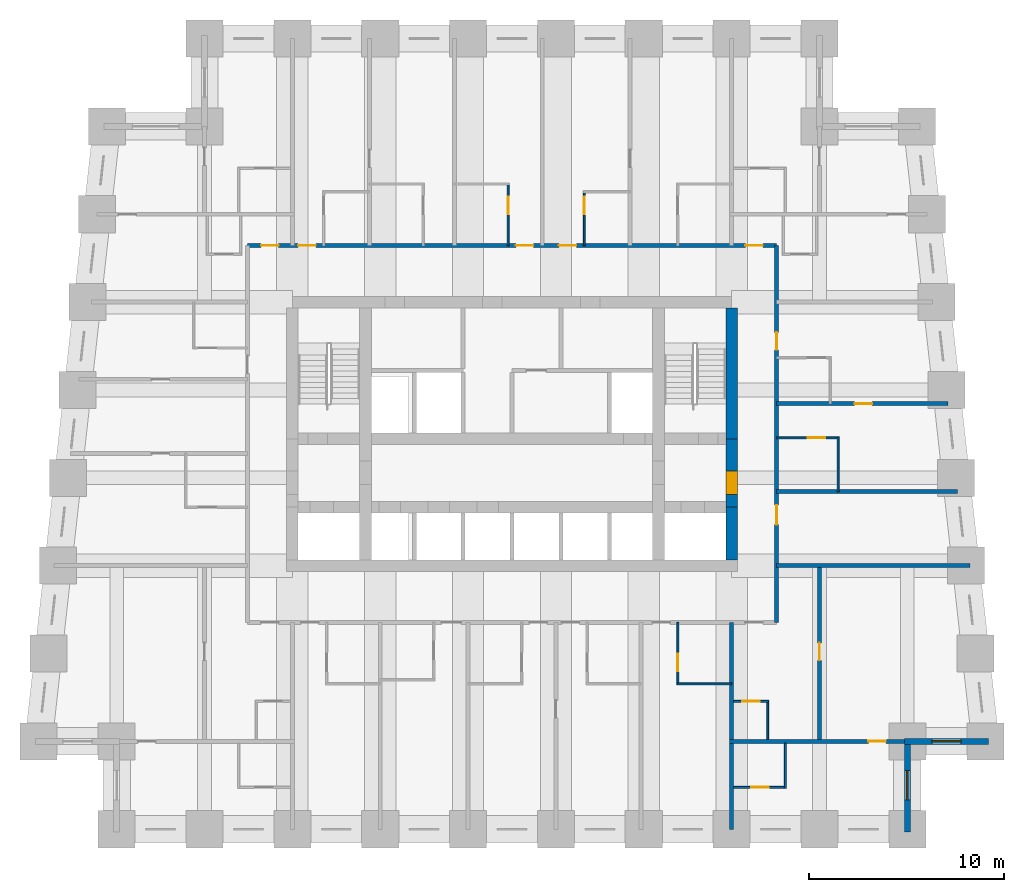
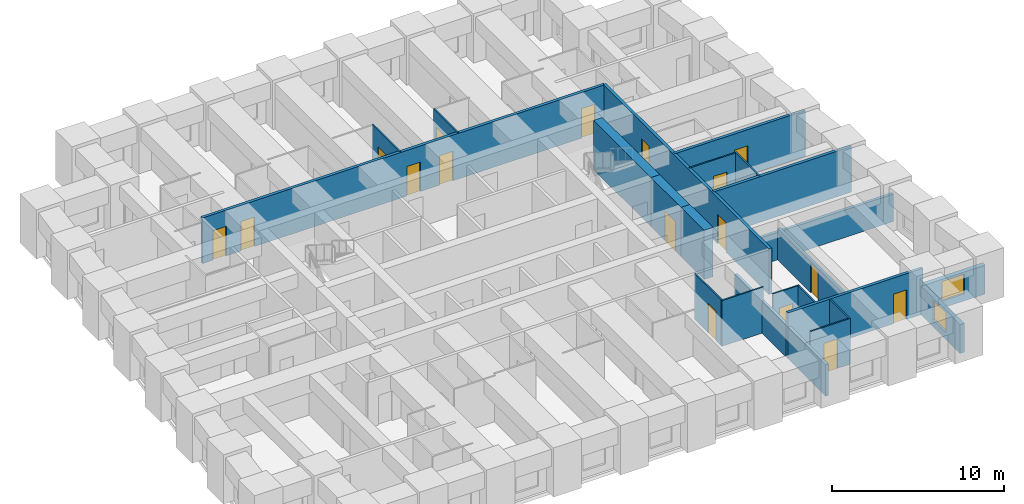
# One storey, part 5 of 8: 23 walls, 17 doors, 2 windows, 19 openings.
"""IFC4 building model written with IfcOpenShell, lengths in metres."""

from ifc_helpers import new_model, si_unit, direction, frame, frame_2d, origin, place, context, subcontext, project, spatial, rectangle, extrude, material, layer, layer_set, type_object, element, fill, save


model = new_model("IFC4")

# Units and contexts
model_context = context("Model", 3, precision=1e-05, world=origin(), true_north=direction((0.0, 1.0)))
body_context = subcontext(model_context, "Body", "Model", "MODEL_VIEW")
ifc_project = project(units=[si_unit("LENGTHUNIT", "METRE"), si_unit("AREAUNIT", "SQUARE_METRE"), si_unit("VOLUMEUNIT", "CUBIC_METRE"), si_unit("PLANEANGLEUNIT", "RADIAN"), si_unit("MASSUNIT", "GRAM", prefix="KILO")], contexts=[model_context])

# Site, building, storey
site_placement = place(None, origin())
site = spatial("IfcSite", under=ifc_project, at=site_placement, CompositionType="ELEMENT")
building_placement = place(site_placement, origin())
building = spatial("IfcBuilding", under=site, at=building_placement, Name="Kilele Tower Hotel", CompositionType="ELEMENT")
storey_placement = place(building_placement, frame((0.0, 0.0, 68.199951171875)))
storey = spatial("IfcBuildingStorey", under=building, at=storey_placement, Name="L16", CompositionType="ELEMENT", Elevation=68.199951171875)

# Wall
ifc_material_1 = material(Name="Moisture-resistant board")
ifc_layer_1 = layer(ifc_material_1, 0.10009765625)
ifc_layer_set_1 = layer_set([ifc_layer_1], Name="Moisture-resistant board")
wall_type_1 = type_object("IfcWallType", Name="Bathroom partition 100", PredefinedType="PLUMBINGWALL", material=ifc_layer_set_1)
wall_1_placement = place(storey_placement, frame((33.199951171875, 7.449951171875, 0.0), z_axis=(0.0, 0.0, 1.0), x_axis=(1.0, 0.0, 0.0)))
element("IfcWall", 1, at=wall_1_placement, inside=storey, type_object=wall_type_1, Name="Bathroom partition 100 L16", PredefinedType="PLUMBINGWALL", context=body_context, shape_type="SweptSolid", body=[
    extrude(rectangle(XDim=2.800048828125, YDim=0.10009765625, at=frame_2d((1.39990234375, 0.0))), origin(), (0.0, 0.0, 1.0), 3.25),
])

# Wall, opening, door
wall_2_placement = place(storey_placement, frame((33.25, 10.60009765625, 0.0), z_axis=(0.0, 0.0, 1.0), x_axis=(0.0, -1.0, 0.0)))
wall_2 = element("IfcWall", 2, at=wall_2_placement, inside=storey, type_object=wall_type_1, Name="Bathroom partition 100 L16", PredefinedType="PLUMBINGWALL", context=body_context, shape_type="SweptSolid", body=[
    extrude(rectangle(XDim=3.2001953125, YDim=0.10009765625, at=frame_2d((1.60009765625, 0.0))), origin(), (0.0, 0.0, 1.0), 3.25),
])
opening_1_placement = place(wall_2_placement, frame((2.5, 0.0, 0.0), z_axis=(0.0, 0.0, 1.0), x_axis=(-1.0, 0.0, 0.0)))
opening_1 = element("IfcOpeningElement", 3, at=opening_1_placement, cuts=wall_2, Name="Opening D2A", PredefinedType="OPENING", context=body_context, shape_type="SweptSolid", body=[
    extrude(rectangle(XDim=0.89990234375, YDim=2.10009765625, at=frame_2d((0.449951171875, 1.050048828125))), frame((0.0, 0.06005859375, 0.0), z_axis=(0.0, -1.0, 0.0), x_axis=(1.0, 0.0, 0.0)), (0.0, 0.0, 1.0), 0.1201171875),
])
ifc_material_2 = material(Name="Timber door leaf in hardwood frame", Category="wood")
door_type_1 = type_object("IfcDoorType", Name="Bathroom door 900", OperationType="SINGLE_SWING_LEFT", PredefinedType="DOOR", material=ifc_material_2)
door_1_placement = place(opening_1_placement, origin())
door_1 = element("IfcDoor", 4, at=door_1_placement, inside=storey, type_object=door_type_1, Name="Bathroom door 1605B", OperationType="SINGLE_SWING_LEFT", OverallHeight=2.10009765625, OverallWidth=0.89990234375, PredefinedType="DOOR", context=body_context, shape_type="SweptSolid", body=[
    extrude(rectangle(XDim=0.89990234375, YDim=2.10009765625, at=frame_2d((0.449951171875, 1.050048828125))), frame((0.0, 0.02490234375, 0.0), z_axis=(0.0, -1.0, 0.0), x_axis=(1.0, 0.0, 0.0)), (0.0, 0.0, 1.0), 0.050048828125),
])
fill(opening_1, door_1)

# Wall
wall_3_placement = place(storey_placement, frame((41.449951171875, 17.300048828125, 0.0), z_axis=(0.0, 0.0, 1.0), x_axis=(0.0, 1.0, 0.0)))
element("IfcWall", 5, at=wall_3_placement, inside=storey, type_object=wall_type_1, Name="Bathroom partition 100 L16", PredefinedType="PLUMBINGWALL", context=body_context, shape_type="SweptSolid", body=[
    extrude(rectangle(XDim=2.800048828125, YDim=0.10009765625, at=frame_2d((1.39990234375, 0.0))), origin(), (0.0, 0.0, 1.0), 3.25),
])

# Wall, opening, door
wall_4_placement = place(storey_placement, frame((38.300048828125, 20.050048828125, 0.0), z_axis=(0.0, 0.0, 1.0), x_axis=(1.0, 0.0, 0.0)))
wall_4 = element("IfcWall", 6, at=wall_4_placement, inside=storey, type_object=wall_type_1, Name="Bathroom partition 100 L16", PredefinedType="PLUMBINGWALL", context=body_context, shape_type="SweptSolid", body=[
    extrude(rectangle(XDim=3.199951171875, YDim=0.10009765625, at=frame_2d((1.60009765625, 0.0))), origin(), (0.0, 0.0, 1.0), 3.25),
])
opening_2_placement = place(wall_4_placement, frame((1.60009765625, 0.0, 0.0)))
opening_2 = element("IfcOpeningElement", 7, at=opening_2_placement, cuts=wall_4, Name="Opening D2A", PredefinedType="OPENING", context=body_context, shape_type="SweptSolid", body=[
    extrude(rectangle(XDim=0.89990234375, YDim=2.10009765625, at=frame_2d((0.449951171875, 1.050048828125))), frame((0.0, 0.06005859375, 0.0), z_axis=(0.0, -1.0, 0.0), x_axis=(1.0, 0.0, 0.0)), (0.0, 0.0, 1.0), 0.1201171875),
])
door_2_placement = place(opening_2_placement, origin())
door_2 = element("IfcDoor", 8, at=door_2_placement, inside=storey, type_object=door_type_1, Name="Bathroom door 1607B", OperationType="SINGLE_SWING_LEFT", OverallHeight=2.10009765625, OverallWidth=0.89990234375, PredefinedType="DOOR", context=body_context, shape_type="SweptSolid", body=[
    extrude(rectangle(XDim=0.89990234375, YDim=2.10009765625, at=frame_2d((0.449951171875, 1.050048828125))), frame((0.0, 0.02490234375, 0.0), z_axis=(0.0, -1.0, 0.0), x_axis=(1.0, 0.0, 0.0)), (0.0, 0.0, 1.0), 0.050048828125),
])
fill(opening_2, door_2)

wall_5_placement = place(storey_placement, frame((24.550048828125, 29.89990234375, 0.0), z_axis=(0.0, 0.0, 1.0), x_axis=(0.0, 1.0, 0.0)))
wall_5 = element("IfcWall", 9, at=wall_5_placement, inside=storey, type_object=wall_type_1, Name="Bathroom partition 100 L16", PredefinedType="PLUMBINGWALL", context=body_context, shape_type="SweptSolid", body=[
    extrude(rectangle(XDim=3.2001953125, YDim=0.10009765625, at=frame_2d((1.60009765625, 0.0))), origin(), (0.0, 0.0, 1.0), 3.25),
])
opening_3_placement = place(wall_5_placement, frame((2.5, 0.0, 0.0), z_axis=(0.0, 0.0, 1.0), x_axis=(-1.0, 0.0, 0.0)))
opening_3 = element("IfcOpeningElement", 10, at=opening_3_placement, cuts=wall_5, Name="Opening D2A", PredefinedType="OPENING", context=body_context, shape_type="SweptSolid", body=[
    extrude(rectangle(XDim=0.89990234375, YDim=2.10009765625, at=frame_2d((0.449951171875, 1.050048828125))), frame((0.0, 0.06005859375, 0.0), z_axis=(0.0, -1.0, 0.0), x_axis=(1.0, 0.0, 0.0)), (0.0, 0.0, 1.0), 0.1201171875),
])
door_3_placement = place(opening_3_placement, origin())
door_3 = element("IfcDoor", 11, at=door_3_placement, inside=storey, type_object=door_type_1, Name="Bathroom door 1611B", OperationType="SINGLE_SWING_RIGHT", OverallHeight=2.10009765625, OverallWidth=0.89990234375, PredefinedType="DOOR", context=body_context, shape_type="SweptSolid", body=[
    extrude(rectangle(XDim=0.89990234375, YDim=2.10009765625, at=frame_2d((0.449951171875, 1.050048828125))), frame((0.0, 0.02490234375, 0.0), z_axis=(0.0, -1.0, 0.0), x_axis=(1.0, 0.0, 0.0)), (0.0, 0.0, 1.0), 0.050048828125),
])
fill(opening_3, door_3)

wall_6_placement = place(storey_placement, frame((28.449951171875, 29.89990234375, 0.0), z_axis=(0.0, 0.0, 1.0), x_axis=(0.0, 1.0, 0.0)))
wall_6 = element("IfcWall", 12, at=wall_6_placement, inside=storey, type_object=wall_type_1, Name="Bathroom partition 100 L16", PredefinedType="PLUMBINGWALL", context=body_context, shape_type="SweptSolid", body=[
    extrude(rectangle(XDim=2.800048828125, YDim=0.10009765625, at=frame_2d((1.39990234375, 0.0))), origin(), (0.0, 0.0, 1.0), 3.25),
])
opening_4_placement = place(wall_6_placement, frame((1.60009765625, 0.0, 0.0)))
opening_4 = element("IfcOpeningElement", 13, at=opening_4_placement, cuts=wall_6, Name="Opening D2A", PredefinedType="OPENING", context=body_context, shape_type="SweptSolid", body=[
    extrude(rectangle(XDim=0.89990234375, YDim=2.10009765625, at=frame_2d((0.449951171875, 1.050048828125))), frame((0.0, 0.06005859375, 0.0), z_axis=(0.0, -1.0, 0.0), x_axis=(1.0, 0.0, 0.0)), (0.0, 0.0, 1.0), 0.1201171875),
])
door_4_placement = place(opening_4_placement, origin())
door_4 = element("IfcDoor", 14, at=door_4_placement, inside=storey, type_object=door_type_1, Name="Bathroom door 1612B", OperationType="SINGLE_SWING_LEFT", OverallHeight=2.10009765625, OverallWidth=0.89990234375, PredefinedType="DOOR", context=body_context, shape_type="SweptSolid", body=[
    extrude(rectangle(XDim=0.89990234375, YDim=2.10009765625, at=frame_2d((0.449951171875, 1.050048828125))), frame((0.0, 0.02490234375, 0.0), z_axis=(0.0, -1.0, 0.0), x_axis=(1.0, 0.0, 0.0)), (0.0, 0.0, 1.0), 0.050048828125),
])
fill(opening_4, door_4)

# Wall
wall_7_placement = place(storey_placement, frame((37.85009765625, 4.60009765625, 0.0), z_axis=(0.0, 0.0, 1.0), x_axis=(0.0, 1.0, 0.0)))
element("IfcWall", 15, at=wall_7_placement, inside=storey, type_object=wall_type_1, Name="Bathroom partition 100 L16", PredefinedType="PLUMBINGWALL", context=body_context, shape_type="SweptSolid", body=[
    extrude(rectangle(XDim=2.0, YDim=0.10009765625, at=frame_2d((1.0, 0.0))), origin(), (0.0, 0.0, 1.0), 3.25),
])

# Wall, opening, door
wall_8_placement = place(storey_placement, frame((36.10009765625, 6.550048828125, 0.0), z_axis=(0.0, 0.0, 1.0), x_axis=(1.0, 0.0, 0.0)))
wall_8 = element("IfcWall", 16, at=wall_8_placement, inside=storey, type_object=wall_type_1, Name="Bathroom partition 100 L16", PredefinedType="PLUMBINGWALL", context=body_context, shape_type="SweptSolid", body=[
    extrude(rectangle(XDim=1.7998046875, YDim=0.10009765625, at=frame_2d((0.89990234375, 0.0))), origin(), (0.0, 0.0, 1.0), 3.25),
])
opening_5_placement = place(wall_8_placement, frame((0.449951171875, 0.0, 0.0)))
opening_5 = element("IfcOpeningElement", 17, at=opening_5_placement, cuts=wall_8, Name="Opening D2A", PredefinedType="OPENING", context=body_context, shape_type="SweptSolid", body=[
    extrude(rectangle(XDim=0.89990234375, YDim=2.10009765625, at=frame_2d((0.449951171875, 1.050048828125))), frame((0.0, 0.06005859375, 0.0), z_axis=(0.0, -1.0, 0.0), x_axis=(1.0, 0.0, 0.0)), (0.0, 0.0, 1.0), 0.1201171875),
])
door_5_placement = place(opening_5_placement, origin())
door_5 = element("IfcDoor", 18, at=door_5_placement, inside=storey, type_object=door_type_1, Name="Bathroom door 1620P", OperationType="SINGLE_SWING_LEFT", OverallHeight=2.10009765625, OverallWidth=0.89990234375, PredefinedType="DOOR", context=body_context, shape_type="SweptSolid", body=[
    extrude(rectangle(XDim=0.89990234375, YDim=2.10009765625, at=frame_2d((0.449951171875, 1.050048828125))), frame((0.0, 0.02490234375, 0.0), z_axis=(0.0, -1.0, 0.0), x_axis=(1.0, 0.0, 0.0)), (0.0, 0.0, 1.0), 0.050048828125),
])
fill(opening_5, door_5)

# Wall
wall_9_placement = place(storey_placement, frame((38.75, 4.39990234375, 0.0), z_axis=(0.0, 0.0, 1.0), x_axis=(0.0, -1.0, 0.0)))
element("IfcWall", 19, at=wall_9_placement, inside=storey, type_object=wall_type_1, Name="Bathroom partition 100 L16", PredefinedType="PLUMBINGWALL", context=body_context, shape_type="SweptSolid", body=[
    extrude(rectangle(XDim=2.2998046875, YDim=0.10009765625, at=frame_2d((1.14990234375, 0.0))), origin(), (0.0, 0.0, 1.0), 3.25),
])

# Wall, opening, door
wall_10_placement = place(storey_placement, frame((36.10009765625, 2.14990234375, 0.0), z_axis=(0.0, 0.0, 1.0), x_axis=(1.0, 0.0, 0.0)))
wall_10 = element("IfcWall", 20, at=wall_10_placement, inside=storey, type_object=wall_type_1, Name="Bathroom partition 100 L16", PredefinedType="PLUMBINGWALL", context=body_context, shape_type="SweptSolid", body=[
    extrude(rectangle(XDim=2.699951171875, YDim=0.10009765625, at=frame_2d((1.35009765625, 0.0))), origin(), (0.0, 0.0, 1.0), 3.25),
])
opening_6_placement = place(wall_10_placement, frame((1.7998046875, 0.0, 0.0), z_axis=(0.0, 0.0, 1.0), x_axis=(-1.0, 0.0, 0.0)))
opening_6 = element("IfcOpeningElement", 21, at=opening_6_placement, cuts=wall_10, Name="Opening D2A", PredefinedType="OPENING", context=body_context, shape_type="SweptSolid", body=[
    extrude(rectangle(XDim=0.89990234375, YDim=2.10009765625, at=frame_2d((0.449951171875, 1.050048828125))), frame((0.0, 0.06005859375, 0.0), z_axis=(0.0, -1.0, 0.0), x_axis=(1.0, 0.0, 0.0)), (0.0, 0.0, 1.0), 0.1201171875),
])
door_6_placement = place(opening_6_placement, origin())
door_6 = element("IfcDoor", 22, at=door_6_placement, inside=storey, type_object=door_type_1, Name="Bathroom door 1622B", OperationType="SINGLE_SWING_RIGHT", OverallHeight=2.10009765625, OverallWidth=0.89990234375, PredefinedType="DOOR", context=body_context, shape_type="SweptSolid", body=[
    extrude(rectangle(XDim=0.89990234375, YDim=2.10009765625, at=frame_2d((0.449951171875, 1.050048828125))), frame((0.0, 0.02490234375, 0.0), z_axis=(0.0, -1.0, 0.0), x_axis=(1.0, 0.0, 0.0)), (0.0, 0.0, 1.0), 0.050048828125),
])
fill(opening_6, door_6)

# Wall
ifc_material_3 = material(Name="Concrete C60/75", Category="concrete")
ifc_layer_2 = layer(ifc_material_3, 0.60009765625)
ifc_layer_set_2 = layer_set([ifc_layer_2], Name="Concrete C60/75")
wall_type_2 = type_object("IfcWallType", Name="Core wall 600 C60/75", PredefinedType="SHEAR", material=ifc_layer_set_2)
wall_11_placement = place(storey_placement, frame((36.0, 13.800048828125, 0.0), z_axis=(0.0, 0.0, 1.0), x_axis=(0.0, 1.0, 0.0)))
element("IfcWall", 23, at=wall_11_placement, inside=storey, type_object=wall_type_2, Name="Core wall E1 L16", PredefinedType="SHEAR", context=body_context, shape_type="SweptSolid", body=[
    extrude(rectangle(XDim=2.699951171875, YDim=0.60009765625, at=frame_2d((1.35009765625, 0.0))), origin(), (0.0, 0.0, 1.0), 3.5),
])

# Wall, opening, door
wall_12_placement = place(storey_placement, frame((36.0, 16.5, 0.0), z_axis=(0.0, 0.0, 1.0), x_axis=(0.0, 1.0, 0.0)))
wall_12 = element("IfcWall", 24, at=wall_12_placement, inside=storey, type_object=wall_type_2, Name="Core wall E2 L16", PredefinedType="SHEAR", context=body_context, shape_type="SweptSolid", body=[
    extrude(rectangle(XDim=3.5, YDim=0.60009765625, at=frame_2d((1.75, 0.0))), origin(), (0.0, 0.0, 1.0), 3.5),
])
opening_7_placement = place(wall_12_placement, frame((0.64990234375, 0.0, 0.0)))
opening_7 = element("IfcOpeningElement", 25, at=opening_7_placement, cuts=wall_12, Name="Opening D4", PredefinedType="OPENING", context=body_context, shape_type="SweptSolid", body=[
    extrude(rectangle(XDim=1.199951171875, YDim=2.10009765625, at=frame_2d((0.60009765625, 1.050048828125))), frame((0.0, 0.31005859375, 0.0), z_axis=(0.0, -1.0, 0.0), x_axis=(1.0, 0.0, 0.0)), (0.0, 0.0, 1.0), 0.6201171875),
])
ifc_material_4 = material(Name="Timber door leaf in hardwood frame", Category="wood")
door_type_2 = type_object("IfcDoorType", Name="Firefighting lobby door 1200", OperationType="SINGLE_SWING_LEFT", PredefinedType="DOOR", material=ifc_material_4)
door_7_placement = place(opening_7_placement, origin())
door_7 = element("IfcDoor", 26, at=door_7_placement, inside=storey, type_object=door_type_2, Name="Lobby door L16", OperationType="SINGLE_SWING_LEFT", OverallHeight=2.10009765625, OverallWidth=1.199951171875, PredefinedType="DOOR", context=body_context, shape_type="SweptSolid", body=[
    extrude(rectangle(XDim=1.199951171875, YDim=2.10009765625, at=frame_2d((0.60009765625, 1.050048828125))), frame((0.0, 0.2998046875, 0.0), z_axis=(0.0, -1.0, 0.0), x_axis=(1.0, 0.0, 0.0)), (0.0, 0.0, 1.0), 0.599609375),
])
fill(opening_7, door_7)

# Wall
wall_13_placement = place(storey_placement, frame((36.0, 20.0, 0.0), z_axis=(0.0, 0.0, 1.0), x_axis=(0.0, 1.0, 0.0)))
element("IfcWall", 27, at=wall_13_placement, inside=storey, type_object=wall_type_2, Name="Core wall E3 L16", PredefinedType="SHEAR", context=body_context, shape_type="SweptSolid", body=[
    extrude(rectangle(XDim=6.699951171875, YDim=0.60009765625, at=frame_2d((3.35009765625, 0.0))), origin(), (0.0, 0.0, 1.0), 3.5),
])

# Wall, openings, doors
ifc_material_5 = material(Name="Blockwork, plastered both sides", Category="masonry")
ifc_layer_3 = layer(ifc_material_5, 0.199951171875)
ifc_layer_set_3 = layer_set([ifc_layer_3], Name="Blockwork, plastered both sides")
wall_type_3 = type_object("IfcWallType", Name="Corridor wall 200", PredefinedType="PARTITIONING", material=ifc_layer_set_3)
wall_14_placement = place(storey_placement, frame((11.199951171875, 29.89990234375, 0.0), z_axis=(0.0, 0.0, 1.0), x_axis=(1.0, 0.0, 0.0)))
wall_14 = element("IfcWall", 28, at=wall_14_placement, inside=storey, type_object=wall_type_3, Name="Corridor wall 200 L16", PredefinedType="PARTITIONING", context=body_context, shape_type="SweptSolid", body=[
    extrude(rectangle(XDim=27.10009765625, YDim=0.199951171875, at=frame_2d((13.550048828125, 0.0))), origin(), (0.0, 0.0, 1.0), 3.25),
])
opening_8_placement = place(wall_14_placement, frame((2.60009765625, 0.0, 0.0)))
opening_8 = element("IfcOpeningElement", 29, at=opening_8_placement, cuts=wall_14, Name="Opening D1", PredefinedType="OPENING", context=body_context, shape_type="SweptSolid", body=[
    extrude(rectangle(XDim=0.89990234375, YDim=2.10009765625, at=frame_2d((0.449951171875, 1.050048828125))), frame((0.0, 0.10986328125, 0.0), z_axis=(0.0, -1.0, 0.0), x_axis=(1.0, 0.0, 0.0)), (0.0, 0.0, 1.0), 0.219970703125),
])
opening_9_placement = place(wall_14_placement, frame((13.75, 0.0, 0.0)))
opening_9 = element("IfcOpeningElement", 30, at=opening_9_placement, cuts=wall_14, Name="Opening D1", PredefinedType="OPENING", context=body_context, shape_type="SweptSolid", body=[
    extrude(rectangle(XDim=0.89990234375, YDim=2.10009765625, at=frame_2d((0.449951171875, 1.050048828125))), frame((0.0, 0.10986328125, 0.0), z_axis=(0.0, -1.0, 0.0), x_axis=(1.0, 0.0, 0.0)), (0.0, 0.0, 1.0), 0.219970703125),
])
opening_10_placement = place(wall_14_placement, frame((15.949951171875, 0.0, 0.0)))
opening_10 = element("IfcOpeningElement", 31, at=opening_10_placement, cuts=wall_14, Name="Opening D1", PredefinedType="OPENING", context=body_context, shape_type="SweptSolid", body=[
    extrude(rectangle(XDim=0.89990234375, YDim=2.10009765625, at=frame_2d((0.449951171875, 1.050048828125))), frame((0.0, 0.10986328125, 0.0), z_axis=(0.0, -1.0, 0.0), x_axis=(1.0, 0.0, 0.0)), (0.0, 0.0, 1.0), 0.219970703125),
])
opening_11_placement = place(wall_14_placement, frame((25.5, 0.0, 0.0)))
opening_11 = element("IfcOpeningElement", 32, at=opening_11_placement, cuts=wall_14, Name="Opening D1", PredefinedType="OPENING", context=body_context, shape_type="SweptSolid", body=[
    extrude(rectangle(XDim=0.89990234375, YDim=2.10009765625, at=frame_2d((0.449951171875, 1.050048828125))), frame((0.0, 0.10986328125, 0.0), z_axis=(0.0, -1.0, 0.0), x_axis=(1.0, 0.0, 0.0)), (0.0, 0.0, 1.0), 0.219970703125),
])
opening_12_placement = place(wall_14_placement, frame((0.699951171875, 0.0, 0.0)))
opening_12 = element("IfcOpeningElement", 33, at=opening_12_placement, cuts=wall_14, Name="Opening D1", PredefinedType="OPENING", context=body_context, shape_type="SweptSolid", body=[
    extrude(rectangle(XDim=0.89990234375, YDim=2.10009765625, at=frame_2d((0.449951171875, 1.050048828125))), frame((0.0, 0.10986328125, 0.0), z_axis=(0.0, -1.0, 0.0), x_axis=(1.0, 0.0, 0.0)), (0.0, 0.0, 1.0), 0.219970703125),
])
ifc_material_6 = material(Name="Timber door leaf in hardwood frame", Category="wood")
door_type_3 = type_object("IfcDoorType", Name="Guest room entrance door 900", OperationType="SINGLE_SWING_LEFT", PredefinedType="DOOR", material=ifc_material_6)
door_8_placement = place(opening_8_placement, origin())
door_8 = element("IfcDoor", 34, at=door_8_placement, inside=storey, type_object=door_type_3, Name="Room entrance 1609", OperationType="SINGLE_SWING_LEFT", OverallHeight=2.10009765625, OverallWidth=0.89990234375, PredefinedType="DOOR", context=body_context, shape_type="SweptSolid", body=[
    extrude(rectangle(XDim=0.89990234375, YDim=2.10009765625, at=frame_2d((0.449951171875, 1.050048828125))), frame((0.0, 0.02490234375, 0.0), z_axis=(0.0, -1.0, 0.0), x_axis=(1.0, 0.0, 0.0)), (0.0, 0.0, 1.0), 0.050048828125),
])
fill(opening_8, door_8)
door_9_placement = place(opening_9_placement, origin())
door_9 = element("IfcDoor", 35, at=door_9_placement, inside=storey, type_object=door_type_3, Name="Room entrance 1611", OperationType="SINGLE_SWING_RIGHT", OverallHeight=2.10009765625, OverallWidth=0.89990234375, PredefinedType="DOOR", context=body_context, shape_type="SweptSolid", body=[
    extrude(rectangle(XDim=0.89990234375, YDim=2.10009765625, at=frame_2d((0.449951171875, 1.050048828125))), frame((0.0, 0.02490234375, 0.0), z_axis=(0.0, -1.0, 0.0), x_axis=(1.0, 0.0, 0.0)), (0.0, 0.0, 1.0), 0.050048828125),
])
fill(opening_9, door_9)
door_10_placement = place(opening_10_placement, origin())
door_10 = element("IfcDoor", 36, at=door_10_placement, inside=storey, type_object=door_type_3, Name="Room entrance 1612", OperationType="SINGLE_SWING_RIGHT", OverallHeight=2.10009765625, OverallWidth=0.89990234375, PredefinedType="DOOR", context=body_context, shape_type="SweptSolid", body=[
    extrude(rectangle(XDim=0.89990234375, YDim=2.10009765625, at=frame_2d((0.449951171875, 1.050048828125))), frame((0.0, 0.02490234375, 0.0), z_axis=(0.0, -1.0, 0.0), x_axis=(1.0, 0.0, 0.0)), (0.0, 0.0, 1.0), 0.050048828125),
])
fill(opening_10, door_10)
door_11_placement = place(opening_11_placement, origin())
door_11 = element("IfcDoor", 37, at=door_11_placement, inside=storey, type_object=door_type_3, Name="Room entrance 1623", OperationType="SINGLE_SWING_LEFT", OverallHeight=2.10009765625, OverallWidth=0.89990234375, PredefinedType="DOOR", context=body_context, shape_type="SweptSolid", body=[
    extrude(rectangle(XDim=0.89990234375, YDim=2.10009765625, at=frame_2d((0.449951171875, 1.050048828125))), frame((0.0, 0.02490234375, 0.0), z_axis=(0.0, -1.0, 0.0), x_axis=(1.0, 0.0, 0.0)), (0.0, 0.0, 1.0), 0.050048828125),
])
fill(opening_11, door_11)
door_12_placement = place(opening_12_placement, origin())
door_12 = element("IfcDoor", 38, at=door_12_placement, inside=storey, type_object=door_type_3, Name="Room entrance 1626", OperationType="SINGLE_SWING_RIGHT", OverallHeight=2.10009765625, OverallWidth=0.89990234375, PredefinedType="DOOR", context=body_context, shape_type="SweptSolid", body=[
    extrude(rectangle(XDim=0.89990234375, YDim=2.10009765625, at=frame_2d((0.449951171875, 1.050048828125))), frame((0.0, 0.02490234375, 0.0), z_axis=(0.0, -1.0, 0.0), x_axis=(1.0, 0.0, 0.0)), (0.0, 0.0, 1.0), 0.050048828125),
])
fill(opening_12, door_12)

wall_15_placement = place(storey_placement, frame((38.300048828125, 10.60009765625, 0.0), z_axis=(0.0, 0.0, 1.0), x_axis=(0.0, 1.0, 0.0)))
wall_15 = element("IfcWall", 39, at=wall_15_placement, inside=storey, type_object=wall_type_3, Name="Corridor wall 200 L16", PredefinedType="PARTITIONING", context=body_context, shape_type="SweptSolid", body=[
    extrude(rectangle(XDim=19.2998046875, YDim=0.199951171875, at=frame_2d((9.64990234375, 0.0))), origin(), (0.0, 0.0, 1.0), 3.25),
])
opening_13_placement = place(wall_15_placement, frame((6.0, 0.0, 0.0), z_axis=(0.0, 0.0, 1.0), x_axis=(-1.0, 0.0, 0.0)))
opening_13 = element("IfcOpeningElement", 40, at=opening_13_placement, cuts=wall_15, Name="Opening D8", PredefinedType="OPENING", context=body_context, shape_type="SweptSolid", body=[
    extrude(rectangle(XDim=1.0, YDim=2.10009765625, at=frame_2d((0.5, 1.050048828125))), frame((0.0, 0.10986328125, 0.0), z_axis=(0.0, -1.0, 0.0), x_axis=(1.0, 0.0, 0.0)), (0.0, 0.0, 1.0), 0.219970703125),
])
opening_14_placement = place(wall_15_placement, frame((14.849853515625, 0.0, 0.0), z_axis=(0.0, 0.0, 1.0), x_axis=(-1.0, 0.0, 0.0)))
opening_14 = element("IfcOpeningElement", 41, at=opening_14_placement, cuts=wall_15, Name="Opening D1", PredefinedType="OPENING", context=body_context, shape_type="SweptSolid", body=[
    extrude(rectangle(XDim=0.89990234375, YDim=2.10009765625, at=frame_2d((0.449951171875, 1.050048828125))), frame((0.0, 0.10986328125, 0.0), z_axis=(0.0, -1.0, 0.0), x_axis=(1.0, 0.0, 0.0)), (0.0, 0.0, 1.0), 0.219970703125),
])
ifc_material_7 = material(Name="Timber door leaf in hardwood frame", Category="wood")
door_type_4 = type_object("IfcDoorType", Name="Door 1000", OperationType="SINGLE_SWING_LEFT", PredefinedType="DOOR", material=ifc_material_7)
door_13_placement = place(opening_13_placement, origin())
door_13 = element("IfcDoor", 42, at=door_13_placement, inside=storey, type_object=door_type_4, Name="Room entrance 1606", OperationType="SINGLE_SWING_LEFT", OverallHeight=2.10009765625, OverallWidth=1.0, PredefinedType="DOOR", context=body_context, shape_type="SweptSolid", body=[
    extrude(rectangle(XDim=1.0, YDim=2.10009765625, at=frame_2d((0.5, 1.050048828125))), frame((0.0, 0.02490234375, 0.0), z_axis=(0.0, -1.0, 0.0), x_axis=(1.0, 0.0, 0.0)), (0.0, 0.0, 1.0), 0.050048828125),
])
fill(opening_13, door_13)
door_14_placement = place(opening_14_placement, origin())
door_14 = element("IfcDoor", 43, at=door_14_placement, inside=storey, type_object=door_type_3, Name="Room entrance 1608", OperationType="SINGLE_SWING_RIGHT", OverallHeight=2.10009765625, OverallWidth=0.89990234375, PredefinedType="DOOR", context=body_context, shape_type="SweptSolid", body=[
    extrude(rectangle(XDim=0.89990234375, YDim=2.10009765625, at=frame_2d((0.449951171875, 1.050048828125))), frame((0.0, 0.02490234375, 0.0), z_axis=(0.0, -1.0, 0.0), x_axis=(1.0, 0.0, 0.0)), (0.0, 0.0, 1.0), 0.050048828125),
])
fill(opening_14, door_14)

# Wall, opening, door
ifc_material_8 = material(Name="Blockwork, plastered both sides", Category="masonry")
ifc_layer_4 = layer(ifc_material_8, 0.199951171875)
ifc_layer_set_4 = layer_set([ifc_layer_4], Name="Blockwork, plastered both sides")
wall_type_4 = type_object("IfcWallType", Name="Partition wall 200", PredefinedType="PARTITIONING", material=ifc_layer_set_4)
wall_16_placement = place(storey_placement, frame((40.5, 4.60009765625, 0.0), z_axis=(0.0, 0.0, 1.0), x_axis=(0.0, 1.0, 0.0)))
wall_16 = element("IfcWall", 44, at=wall_16_placement, inside=storey, type_object=wall_type_4, Name="Partition wall 200 L16", PredefinedType="PARTITIONING", context=body_context, shape_type="SweptSolid", body=[
    extrude(rectangle(XDim=8.7998046875, YDim=0.199951171875, at=frame_2d((4.39990234375, 0.0))), origin(), (0.0, 0.0, 1.0), 2.25),
])
opening_15_placement = place(wall_16_placement, frame((4.050048828125, 0.0, 0.0)))
opening_15 = element("IfcOpeningElement", 45, at=opening_15_placement, cuts=wall_16, Name="Opening D3", PredefinedType="OPENING", context=body_context, shape_type="SweptSolid", body=[
    extrude(rectangle(XDim=0.89990234375, YDim=2.10009765625, at=frame_2d((0.449951171875, 1.050048828125))), frame((0.0, 0.10986328125, 0.0), z_axis=(0.0, -1.0, 0.0), x_axis=(1.0, 0.0, 0.0)), (0.0, 0.0, 1.0), 0.219970703125),
])
ifc_material_9 = material(Name="Timber door leaf in hardwood frame", Category="wood")
door_type_5 = type_object("IfcDoorType", Name="Suite internal door 900", OperationType="SINGLE_SWING_LEFT", PredefinedType="DOOR", material=ifc_material_9)
door_15_placement = place(opening_15_placement, origin())
door_15 = element("IfcDoor", 46, at=door_15_placement, inside=storey, type_object=door_type_5, Name="Suite door 1621", OperationType="SINGLE_SWING_RIGHT", OverallHeight=2.10009765625, OverallWidth=0.89990234375, PredefinedType="DOOR", context=body_context, shape_type="SweptSolid", body=[
    extrude(rectangle(XDim=0.89990234375, YDim=2.10009765625, at=frame_2d((0.449951171875, 1.050048828125))), frame((0.0, 0.02490234375, 0.0), z_axis=(0.0, -1.0, 0.0), x_axis=(1.0, 0.0, 0.0)), (0.0, 0.0, 1.0), 0.050048828125),
])
fill(opening_15, door_15)

# Wall
ifc_material_10 = material(Name="Blockwork, plastered both sides", Category="masonry")
ifc_layer_5 = layer(ifc_material_10, 0.199951171875)
ifc_layer_set_5 = layer_set([ifc_layer_5], Name="Blockwork, plastered both sides")
wall_type_5 = type_object("IfcWallType", Name="Party wall 200", PredefinedType="PARTITIONING", material=ifc_layer_set_5)
wall_17_placement = place(storey_placement, frame((38.300048828125, 17.300048828125, 0.0), z_axis=(0.0, 0.0, 1.0), x_axis=(1.0, 0.0, 0.0)))
element("IfcWall", 47, at=wall_17_placement, inside=storey, type_object=wall_type_5, Name="Party wall 200 L16", PredefinedType="PARTITIONING", context=body_context, shape_type="SweptSolid", body=[
    extrude(rectangle(XDim=9.27685546875, YDim=0.199951171875, at=frame_2d((4.638427734375, 0.0))), origin(), (0.0, 0.0, 1.0), 3.25),
])

# Wall, opening, door
wall_18_placement = place(storey_placement, frame((38.300048828125, 21.800048828125, 0.0), z_axis=(0.0, 0.0, 1.0), x_axis=(1.0, 0.0, 0.0)))
wall_18 = element("IfcWall", 48, at=wall_18_placement, inside=storey, type_object=wall_type_5, Name="Party wall 200 L16", PredefinedType="PARTITIONING", context=body_context, shape_type="SweptSolid", body=[
    extrude(rectangle(XDim=8.77685546875, YDim=0.199951171875, at=frame_2d((4.388427734375, 0.0))), origin(), (0.0, 0.0, 1.0), 3.25),
])
opening_16_placement = place(wall_18_placement, frame((4.0, 0.0, 0.0)))
opening_16 = element("IfcOpeningElement", 49, at=opening_16_placement, cuts=wall_18, Name="Opening D3", PredefinedType="OPENING", context=body_context, shape_type="SweptSolid", body=[
    extrude(rectangle(XDim=0.89990234375, YDim=2.10009765625, at=frame_2d((0.449951171875, 1.050048828125))), frame((0.0, 0.10986328125, 0.0), z_axis=(0.0, -1.0, 0.0), x_axis=(1.0, 0.0, 0.0)), (0.0, 0.0, 1.0), 0.219970703125),
])
door_16_placement = place(opening_16_placement, origin())
door_16 = element("IfcDoor", 50, at=door_16_placement, inside=storey, type_object=door_type_5, Name="Suite door 1608", OperationType="SINGLE_SWING_LEFT", OverallHeight=2.10009765625, OverallWidth=0.89990234375, PredefinedType="DOOR", context=body_context, shape_type="SweptSolid", body=[
    extrude(rectangle(XDim=0.89990234375, YDim=2.10009765625, at=frame_2d((0.449951171875, 1.050048828125))), frame((0.0, 0.02490234375, 0.0), z_axis=(0.0, -1.0, 0.0), x_axis=(1.0, 0.0, 0.0)), (0.0, 0.0, 1.0), 0.050048828125),
])
fill(opening_16, door_16)

# Walls
wall_19_placement = place(storey_placement, frame((38.300048828125, 13.5, 0.0), z_axis=(0.0, 0.0, 1.0), x_axis=(1.0, 0.0, 0.0)))
element("IfcWall", 51, at=wall_19_placement, inside=storey, type_object=wall_type_5, Name="Party wall 200 L16", PredefinedType="PARTITIONING", context=body_context, shape_type="SweptSolid", body=[
    extrude(rectangle(XDim=9.921142578125, YDim=0.199951171875, at=frame_2d((4.96044921875, 0.0))), origin(), (0.0, 0.0, 1.0), 1.949951171875),
])
wall_20_placement = place(storey_placement, frame((36.0, 10.60009765625, 0.0), z_axis=(0.0, 0.0, 1.0), x_axis=(0.0, -1.0, 0.0)))
element("IfcWall", 52, at=wall_20_placement, inside=storey, type_object=wall_type_5, Name="Party wall 200 L16", PredefinedType="PARTITIONING", context=body_context, shape_type="SweptSolid", body=[
    extrude(rectangle(XDim=10.60009765625, YDim=0.199951171875, at=frame_2d((5.300048828125, 0.0))), origin(), (0.0, 0.0, 1.0), 2.25),
])

# Wall, opening, door
wall_21_placement = place(storey_placement, frame((35.89990234375, 4.5, 0.0), z_axis=(0.0, 0.0, 1.0), x_axis=(1.0, 0.0, 0.0)))
wall_21 = element("IfcWall", 53, at=wall_21_placement, inside=storey, type_object=wall_type_5, Name="Party wall 200 L16", PredefinedType="PARTITIONING", context=body_context, shape_type="SweptSolid", body=[
    extrude(rectangle(XDim=9.10009765625, YDim=0.199951171875, at=frame_2d((4.550048828125, 0.0))), origin(), (0.0, 0.0, 1.0), 3.25),
])
opening_17_placement = place(wall_21_placement, frame((7.10009765625, 0.0, 0.0)))
opening_17 = element("IfcOpeningElement", 54, at=opening_17_placement, cuts=wall_21, Name="Opening D3", PredefinedType="OPENING", context=body_context, shape_type="SweptSolid", body=[
    extrude(rectangle(XDim=0.89990234375, YDim=2.10009765625, at=frame_2d((0.449951171875, 1.050048828125))), frame((0.0, 0.10986328125, 0.0), z_axis=(0.0, -1.0, 0.0), x_axis=(1.0, 0.0, 0.0)), (0.0, 0.0, 1.0), 0.219970703125),
])
door_17_placement = place(opening_17_placement, origin())
door_17 = element("IfcDoor", 55, at=door_17_placement, inside=storey, type_object=door_type_5, Name="Suite door 1622", OperationType="SINGLE_SWING_RIGHT", OverallHeight=2.10009765625, OverallWidth=0.89990234375, PredefinedType="DOOR", context=body_context, shape_type="SweptSolid", body=[
    extrude(rectangle(XDim=0.89990234375, YDim=2.10009765625, at=frame_2d((0.449951171875, 1.050048828125))), frame((0.0, 0.02490234375, 0.0), z_axis=(0.0, -1.0, 0.0), x_axis=(1.0, 0.0, 0.0)), (0.0, 0.0, 1.0), 0.050048828125),
])
fill(opening_17, door_17)

# Wall, opening, window
ifc_material_11 = material(Name="Concrete C40/50 precast", Category="concrete")
ifc_layer_6 = layer(ifc_material_11, 0.260009765625, Name="Precast backing", Category="LoadBearing")
ifc_material_12 = material(Name="Reconstituted stone finish", Category="masonry")
ifc_layer_7 = layer(ifc_material_12, 0.0400390625, Name="Face mix", Category="Finish")
ifc_layer_set_6 = layer_set([ifc_layer_6, ifc_layer_7], Name="Precast concrete C40/50, reconstituted stone finish")
wall_type_6 = type_object("IfcWallType", Name="Precast stone facade wall 300", PredefinedType="STANDARD", material=ifc_layer_set_6)
wall_22_placement = place(storey_placement, frame((45.0, -0.14990234375, 0.0), z_axis=(0.0, 0.0, 1.0), x_axis=(0.0, 1.0, 0.0)))
wall_22 = element("IfcWall", 56, at=wall_22_placement, inside=storey, type_object=wall_type_6, Name="Facade wall L16 edge 4", PredefinedType="STANDARD", context=body_context, shape_type="SweptSolid", body=[
    extrude(rectangle(XDim=4.7998046875, YDim=0.300048828125, at=frame_2d((2.39990234375, 0.0))), origin(), (0.0, 0.0, 1.0), 2.050048828125),
])
opening_18_placement = place(wall_22_placement, frame((1.64990234375, 0.0, 0.5)))
opening_18 = element("IfcOpeningElement", 57, at=opening_18_placement, cuts=wall_22, Name="Opening W1", PredefinedType="OPENING", context=body_context, shape_type="SweptSolid", body=[
    extrude(rectangle(XDim=1.5, YDim=1.39990234375, at=frame_2d((0.75, 0.699951171875))), frame((0.0, 0.159912109375, 0.0), z_axis=(0.0, -1.0, 0.0), x_axis=(1.0, 0.0, 0.0)), (0.0, 0.0, 1.0), 0.320068359375),
])
ifc_material_13 = material(Name="Aluminium frame, clear double glazing", Category="aluminium")
window_type = type_object("IfcWindowType", Name="Window W1 1500 x 1400", PartitioningType="SINGLE_PANEL", PredefinedType="WINDOW", material=ifc_material_13)
window_1_placement = place(opening_18_placement, origin())
window_1 = element("IfcWindow", 58, at=window_1_placement, inside=storey, type_object=window_type, Name="Window L16", OverallHeight=1.39990234375, OverallWidth=1.5, PartitioningType="SINGLE_PANEL", PredefinedType="WINDOW", context=body_context, shape_type="SweptSolid", body=[
    extrude(rectangle(XDim=1.5, YDim=1.39990234375, at=frame_2d((0.75, 0.699951171875))), frame((0.0, 0.030029296875, 0.0), z_axis=(0.0, -1.0, 0.0), x_axis=(1.0, 0.0, 0.0)), (0.0, 0.0, 1.0), 0.06005859375),
])
fill(opening_18, window_1)

wall_23_placement = place(storey_placement, frame((44.85009765625, 4.5, 0.0), z_axis=(0.0, 0.0, 1.0), x_axis=(1.0, 0.0, 0.0)))
wall_23 = element("IfcWall", 59, at=wall_23_placement, inside=storey, type_object=wall_type_6, Name="Facade wall L16 edge 5", PredefinedType="STANDARD", context=body_context, shape_type="SweptSolid", body=[
    extrude(rectangle(XDim=4.2998046875, YDim=0.300048828125, at=frame_2d((2.14990234375, 0.0))), origin(), (0.0, 0.0, 1.0), 2.050048828125),
])
opening_19_placement = place(wall_23_placement, frame((1.39990234375, 0.0, 0.5)))
opening_19 = element("IfcOpeningElement", 60, at=opening_19_placement, cuts=wall_23, Name="Opening W1", PredefinedType="OPENING", context=body_context, shape_type="SweptSolid", body=[
    extrude(rectangle(XDim=1.5, YDim=1.39990234375, at=frame_2d((0.75, 0.699951171875))), frame((0.0, 0.159912109375, 0.0), z_axis=(0.0, -1.0, 0.0), x_axis=(1.0, 0.0, 0.0)), (0.0, 0.0, 1.0), 0.320068359375),
])
window_2_placement = place(opening_19_placement, origin())
window_2 = element("IfcWindow", 61, at=window_2_placement, inside=storey, type_object=window_type, Name="Window L16", OverallHeight=1.39990234375, OverallWidth=1.5, PartitioningType="SINGLE_PANEL", PredefinedType="WINDOW", context=body_context, shape_type="SweptSolid", body=[
    extrude(rectangle(XDim=1.5, YDim=1.39990234375, at=frame_2d((0.75, 0.699951171875))), frame((0.0, 0.030029296875, 0.0), z_axis=(0.0, -1.0, 0.0), x_axis=(1.0, 0.0, 0.0)), (0.0, 0.0, 1.0), 0.06005859375),
])
fill(opening_19, window_2)

save(model, "model.ifc")
